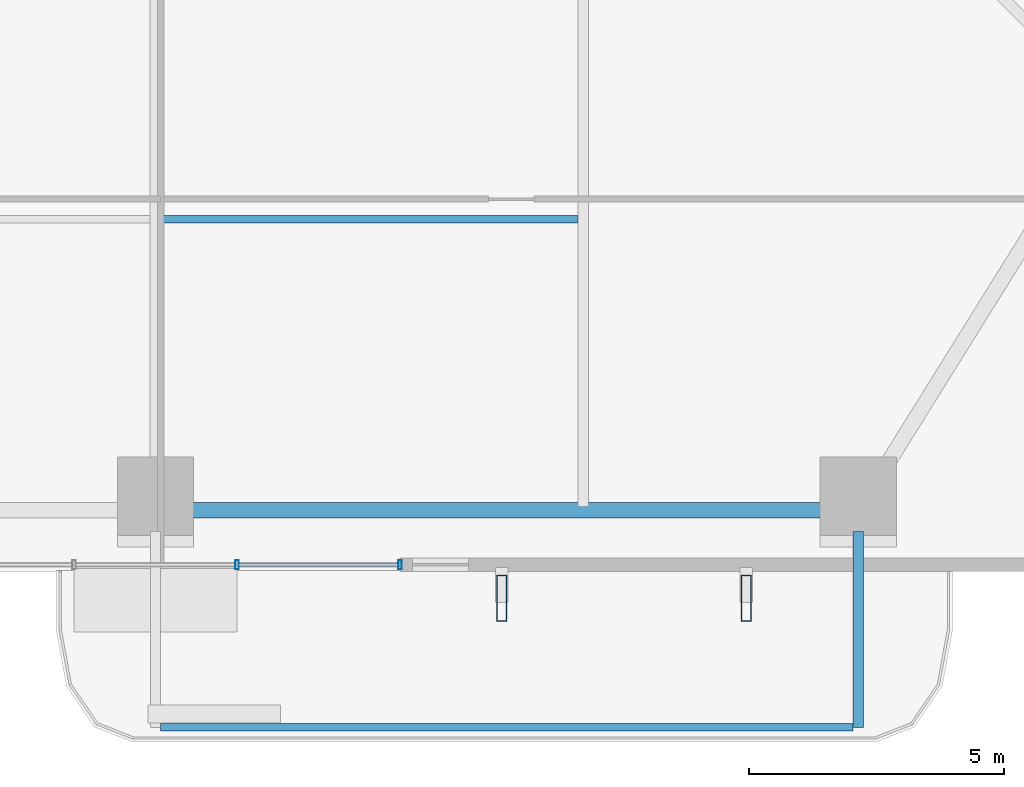
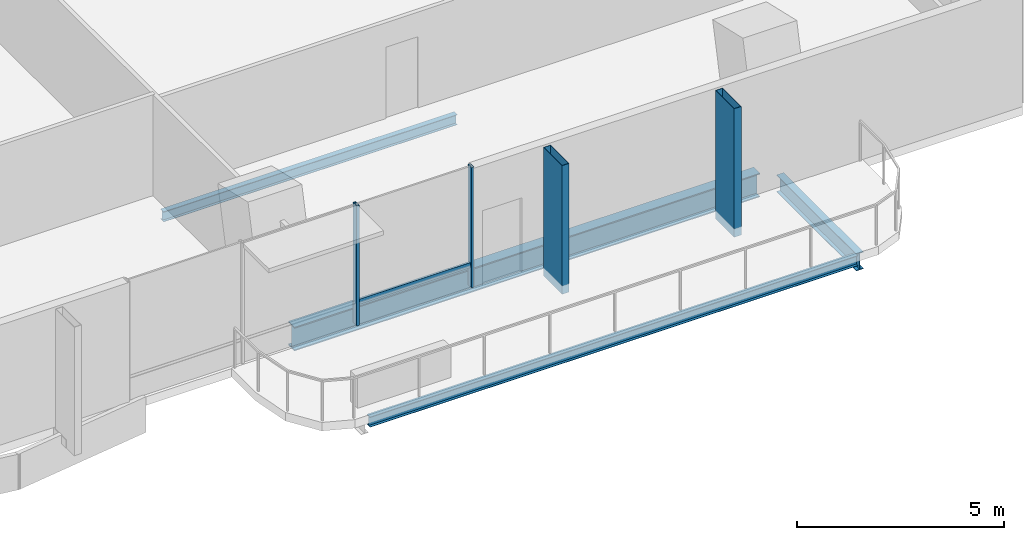
# One storey, part 6 of 24: 5 members, 4 beams, 1 element without a shape of its own.
"""IFC4 building model written with IfcOpenShell, lengths in metres."""

from ifc_helpers import new_model, si_unit, direction, frame, origin, origin_2d, place, context, subcontext, project, spatial, hollow_rectangle, i_section, extrude, material, layer, layer_set, material_profile, profile_set, type_object, element, aggregate, save


model = new_model("IFC4")

# Units and contexts
model_context = context("Model", 3, precision=1e-05, world=origin(), true_north=direction((0.0, 1.0)))
body_context = subcontext(model_context, "Body", "Model", "MODEL_VIEW")
ifc_project = project(units=[si_unit("LENGTHUNIT", "METRE"), si_unit("AREAUNIT", "SQUARE_METRE"), si_unit("VOLUMEUNIT", "CUBIC_METRE"), si_unit("PLANEANGLEUNIT", "RADIAN"), si_unit("MASSUNIT", "GRAM", prefix="KILO")], contexts=[model_context])

# Site, building, storey
site_placement = place(None, origin())
site = spatial("IfcSite", under=ifc_project, at=site_placement, CompositionType="ELEMENT")
building_placement = place(site_placement, origin())
building = spatial("IfcBuilding", under=site, at=building_placement, Name="Belovzor Exchange Tower", CompositionType="ELEMENT")
storey_placement = place(building_placement, frame((0.0, 0.0, 104.10009765625)))
storey = spatial("IfcBuildingStorey", under=building, at=storey_placement, Name="L25", CompositionType="ELEMENT", Elevation=104.10009765625)

# Beams
ifc_material_1 = material(Name="Steel S355", Category="steel")
ifc_material_profile_1 = material_profile(ifc_material_1, i_section(OverallWidth=0.199951171875, OverallDepth=0.5, WebThickness=0.01025390625, FlangeThickness=0.01611328125, at=origin_2d()))
ifc_profile_set_1 = profile_set([ifc_material_profile_1], Name="Steel S355")
beam_type_1 = type_object("IfcBeamType", Name="Planted Balcony Cantilever Beam IPE 500", PredefinedType="BEAM", material=ifc_profile_set_1)
beam_1_placement = place(storey_placement, frame((42.60009765625, 1.68798828125, -0.5), z_axis=(0.0, -1.0, 0.0), x_axis=(1.0, 0.0, 0.0)))
element("IfcBeam", 1, at=beam_1_placement, inside=storey, type_object=beam_type_1, Name="BC-500 Planted Balcony Cantilever Beam IPE 500", PredefinedType="BEAM", context=body_context, shape_type="SweptSolid", body=[
    extrude(i_section(OverallWidth=0.199951171875, OverallDepth=0.5, WebThickness=0.01025390625, FlangeThickness=0.01611328125, at=origin_2d()), origin(), (0.0, 0.0, 1.0), 3.85009765625),
])
ifc_material_2 = material(Name="Steel S355", Category="steel")
ifc_material_profile_2 = material_profile(ifc_material_2, i_section(OverallWidth=0.14990234375, OverallDepth=0.300048828125, WebThickness=0.007080078125, FlangeThickness=0.0107421875, at=origin_2d()))
ifc_profile_set_2 = profile_set([ifc_material_profile_2], Name="Steel S355")
beam_type_2 = type_object("IfcBeamType", Name="Planted Balcony Fascia Edge Beam IPE 300", PredefinedType="BEAM", material=ifc_profile_set_2)
beam_2_placement = place(storey_placement, frame((28.89990234375, -2.162109375, -0.400146484375), z_axis=(1.0, 0.0, 0.0), x_axis=(0.0, 1.0, 0.0)))
element("IfcBeam", 2, at=beam_2_placement, inside=storey, type_object=beam_type_2, Name="BC-300 Planted Balcony Fascia Edge Beam IPE 300", PredefinedType="BEAM", context=body_context, shape_type="SweptSolid", body=[
    extrude(i_section(OverallWidth=0.14990234375, OverallDepth=0.300048828125, WebThickness=0.007080078125, FlangeThickness=0.0107421875, at=origin_2d()), origin(), (0.0, 0.0, 1.0), 13.60009765625),
])
ifc_material_3 = material(Name="Steel S355", Category="steel")
ifc_material_profile_3 = material_profile(ifc_material_3, i_section(OverallWidth=0.14990234375, OverallDepth=0.300048828125, WebThickness=0.007080078125, FlangeThickness=0.0107421875, at=origin_2d()))
ifc_profile_set_3 = profile_set([ifc_material_profile_3], Name="Steel S355")
beam_type_3 = type_object("IfcBeamType", Name="Secondary Trim Floor Joist IPE 300", PredefinedType="BEAM", material=ifc_profile_set_3)
beam_3_placement = place(storey_placement, frame((28.905029296875, 7.81494140625, -0.400146484375), z_axis=(1.0, 0.0, 0.0), x_axis=(0.0, 1.0, 0.0)))
element("IfcBeam", 3, at=beam_3_placement, inside=storey, type_object=beam_type_3, Name="FJ-300 Secondary Trim Floor Joist IPE 300", PredefinedType="BEAM", context=body_context, shape_type="SweptSolid", body=[
    extrude(i_section(OverallWidth=0.14990234375, OverallDepth=0.300048828125, WebThickness=0.007080078125, FlangeThickness=0.0107421875, at=origin_2d()), origin(), (0.0, 0.0, 1.0), 8.18994140625),
])

# Members
ifc_material_4 = material(Name="Extruded Architectural Terracotta on Steel S355 Carrier", Category="masonry")
ifc_material_profile_4 = material_profile(ifc_material_4, hollow_rectangle(XDim=0.199951171875, YDim=0.89990234375, WallThickness=0.011962890625, at=origin_2d()))
ifc_profile_set_4 = profile_set([ifc_material_profile_4], Name="Extruded Architectural Terracotta on Steel S355 Carrier")
member_type_1 = type_object("IfcMemberType", Name="Sweeping Terracotta Baguette Fin Assembly 1250", PredefinedType="USERDEFINED", material=ifc_profile_set_4)
for number, where, z_axis, x_axis, name in (
    (4, (35.60009765625, 0.375, -0.25), (0.0, 0.0, 1.0), (1.0, 0.0, 0.0), "FIN-TC125 Terracotta Facade Fin L25 S3"),
    (5, (40.39990234375, 0.375, -0.25), (0.0, 0.0, 1.0), (1.0, 0.0, 0.0), "FIN-TC125 Terracotta Facade Fin L25 S4"),
):
    element("IfcMember", number, at=place(storey_placement, frame(where, z_axis=z_axis, x_axis=x_axis)), inside=storey, type_object=member_type_1, Name=name, ObjectType="FIN", PredefinedType="USERDEFINED", context=body_context, shape_type="SweptSolid", body=[
        extrude(hollow_rectangle(XDim=0.199951171875, YDim=0.89990234375, WallThickness=0.011962890625, at=origin_2d()), origin(), (0.0, 0.0, 1.0), 3.789794921875),
    ])

# Curtain wall, members
ifc_material_5 = material(Name="Anodised Aluminium Framing", Category="aluminium")
ifc_layer = layer(ifc_material_5, 0.179931640625)
ifc_layer_set = layer_set([ifc_layer], Name="Anodised Aluminium Framing")
curtain_wall_type = type_object("IfcCurtainWallType", Name="Recessed Loggia Low-Iron Triple-Glazed Curtain Wall", PredefinedType="NOTDEFINED", material=ifc_layer_set)
curtain_wall_placement = place(storey_placement, origin())
curtain_wall = element("IfcCurtainWall", 6, at=curtain_wall_placement, inside=storey, type_object=curtain_wall_type, Name="CW3 Recessed Loggia Low-Iron Triple-Glazed Curtain Wall L25", PredefinedType="NOTDEFINED")
ifc_material_6 = material(Name="Steel S355", Category="steel")
ifc_material_profile_5 = material_profile(ifc_material_6, hollow_rectangle(XDim=0.074951171875, YDim=0.179931640625, WallThickness=0.0048828125, at=origin_2d()))
ifc_profile_set_5 = profile_set([ifc_material_profile_5], Name="Steel S355")
member_type_2 = type_object("IfcMemberType", Name="Thermally Broken Curtain Wall Mullion 180x75", PredefinedType="MULLION", material=ifc_profile_set_5)
member_1_placement = place(storey_placement, frame((33.60009765625, 1.030029296875, 0.0), z_axis=(0.0, 0.0, 1.0), x_axis=(-1.0, 0.0, 0.0)))
member_1 = element("IfcMember", 7, at=member_1_placement, type_object=member_type_2, Name="CW-M180 Curtain Wall Mullion 1", PredefinedType="MULLION", context=body_context, shape_type="SweptSolid", body=[
    extrude(hollow_rectangle(XDim=0.074951171875, YDim=0.179931640625, WallThickness=0.0048828125, at=origin_2d()), origin(), (0.0, 0.0, 1.0), 3.539794921875),
])
member_2_placement = place(storey_placement, frame((30.39990234375, 1.030029296875, 0.0), z_axis=(0.0, 0.0, 1.0), x_axis=(-1.0, 0.0, 0.0)))
member_2 = element("IfcMember", 8, at=member_2_placement, type_object=member_type_2, Name="CW-M180 Curtain Wall Mullion 2", PredefinedType="MULLION", context=body_context, shape_type="SweptSolid", body=[
    extrude(hollow_rectangle(XDim=0.074951171875, YDim=0.179931640625, WallThickness=0.0048828125, at=origin_2d()), origin(), (0.0, 0.0, 1.0), 3.539794921875),
])
ifc_material_7 = material(Name="Steel S355", Category="steel")
ifc_material_profile_6 = material_profile(ifc_material_7, hollow_rectangle(XDim=0.06005859375, YDim=0.14990234375, WallThickness=0.00390625, at=origin_2d()))
ifc_profile_set_6 = profile_set([ifc_material_profile_6], Name="Steel S355")
member_type_3 = type_object("IfcMemberType", Name="Thermally Broken Curtain Wall Transom 150x60", PredefinedType="USERDEFINED", material=ifc_profile_set_6)
member_3_placement = place(storey_placement, frame((33.592041015625, 1.030029296875, 0.636962890625), z_axis=(-1.0, 0.0, 0.0), x_axis=(0.0, -1.0, 0.0)))
member_3 = element("IfcMember", 9, at=member_3_placement, type_object=member_type_3, Name="CW-T150 Curtain Wall Transom 1", ObjectType="TRANSOM", PredefinedType="USERDEFINED", context=body_context, shape_type="SweptSolid", body=[
    extrude(hollow_rectangle(XDim=0.06005859375, YDim=0.14990234375, WallThickness=0.00390625, at=origin_2d()), origin(), (0.0, 0.0, 1.0), 3.18408203125),
])
aggregate(curtain_wall, [member_1, member_2, member_3])

# Beam
ifc_material_8 = material(Name="Steel S355", Category="steel")
ifc_material_profile_7 = material_profile(ifc_material_8, i_section(OverallWidth=0.300048828125, OverallDepth=0.699951171875, WebThickness=0.01708984375, FlangeThickness=0.031982421875, at=origin_2d()))
ifc_profile_set_7 = profile_set([ifc_material_profile_7], Name="Steel S355")
beam_type_4 = type_object("IfcBeamType", Name="Zone 1 Primary Perimeter Girder HEB 700", PredefinedType="BEAM", material=ifc_profile_set_7)
beam_4_placement = place(storey_placement, frame((29.212890625, 2.10009765625, -0.60009765625), z_axis=(1.0, 0.0, 0.0), x_axis=(0.0, 1.0, 0.0)))
element("IfcBeam", 10, at=beam_4_placement, inside=storey, type_object=beam_type_4, Name="FG-Z1 Zone 1 Primary Perimeter Girder HEB 700", PredefinedType="BEAM", context=body_context, shape_type="SweptSolid", body=[
    extrude(i_section(OverallWidth=0.300048828125, OverallDepth=0.699951171875, WebThickness=0.01708984375, FlangeThickness=0.031982421875, at=origin_2d()), origin(), (0.0, 0.0, 1.0), 12.97509765625),
])

save(model, "model.ifc")
